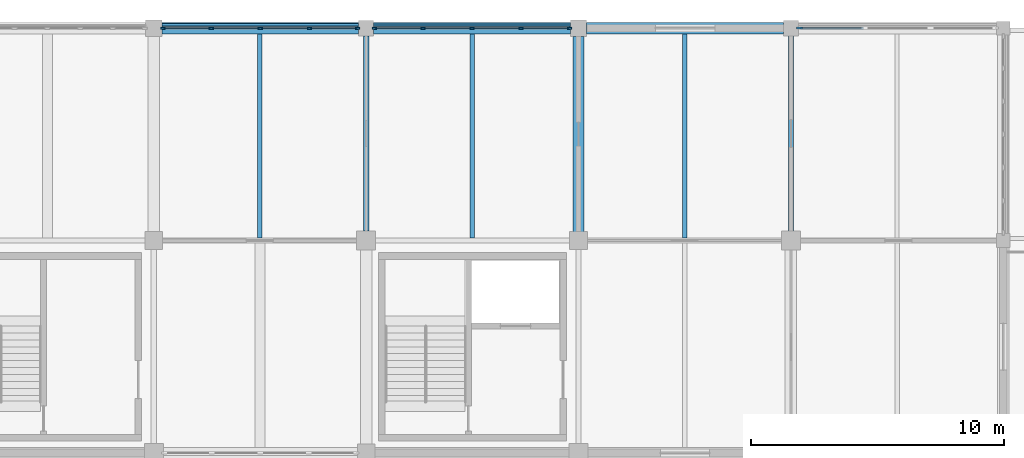
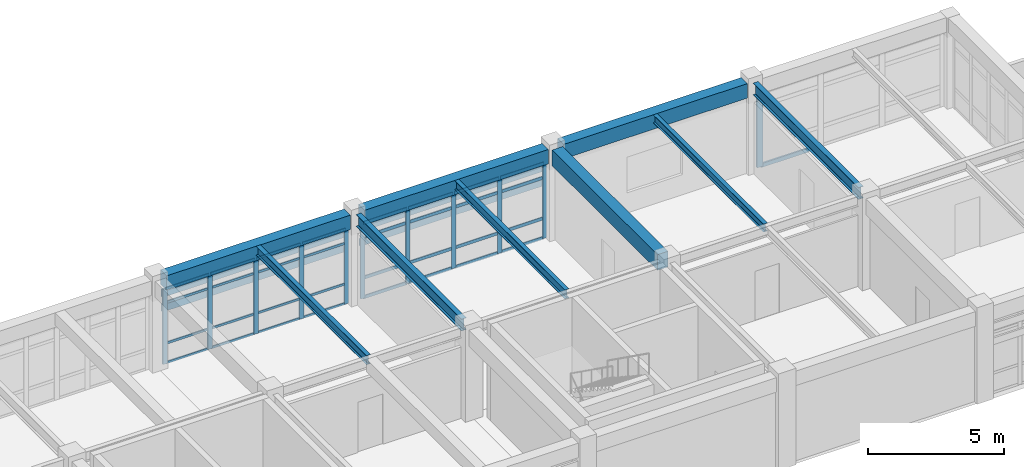
# One storey, part 18 of 40: 48 members, 9 beams, 3 elements without a shape of their own.
"""IFC4 building model written with IfcOpenShell, lengths in metres."""

import ifcopenshell
import ifcopenshell.guid

model = None  # the IFC model being written
_history = None  # IfcOwnerHistory: only IFC2X3 demands one
_inside = {}  # id of a spatial element -> (the spatial element, [elements in it])
_under = {}  # id of a project, library or spatial element -> (it, [spatial elements below it])
_declared = {}  # id of a project -> (the project, [libraries it declares])
_typed = {}  # id of a type object -> (the type object, [elements of that type])
_made_of = {}  # id of a material, layer set ... -> (it, [elements and type objects made of it])


def new_model(schema):
    """Start an empty IFC model of exactly this schema.

    Asked for "IFC4X3", IfcOpenShell would pick the latest addendum, in which some entities
    have other attributes; the version numbers below select the first issue.
    IFC2X3 requires an IfcOwnerHistory on every rooted entity: one is made here for all.
    """
    global model, _history
    if schema == "IFC4X3":
        model = ifcopenshell.file(schema_version=(4, 3, 0, 0))
    else:
        model = ifcopenshell.file(schema=schema)
    _inside.clear()
    _under.clear()
    _declared.clear()
    _typed.clear()
    _made_of.clear()
    _history = None
    if model.schema == "IFC2X3":
        org = make("IfcOrganization", Name="unknown")
        user = make(
            "IfcPersonAndOrganization",
            ThePerson=make("IfcPerson", FamilyName="unknown"),
            TheOrganization=org,
        )
        app = make(
            "IfcApplication",
            ApplicationDeveloper=org,
            Version="unknown",
            ApplicationFullName="unknown",
            ApplicationIdentifier="unknown",
        )
        _history = make(
            "IfcOwnerHistory",
            OwningUser=user,
            OwningApplication=app,
            ChangeAction="ADDED",
            CreationDate=0,
        )
    return model


def make(cls, **values):
    """One entity of the class cls with the attributes given. An attribute that is None is left unset."""
    return model.create_entity(
        cls, **{name: value for name, value in values.items() if value is not None}
    )


def rooted(cls, **values):
    """An entity with a GlobalId (a new one), such as an element, a storey or a relation."""
    return make(cls, GlobalId=ifcopenshell.guid.new(), OwnerHistory=_history, **values)


def si_unit(unit_type, name, prefix=None):
    """IfcSIUnit, for example si_unit("LENGTHUNIT", "METRE", prefix="MILLI")."""
    return make("IfcSIUnit", UnitType=unit_type, Prefix=prefix, Name=name)


def assignment(units):
    """IfcUnitAssignment: the units of a project."""
    return None if units is None else make("IfcUnitAssignment", Units=units)


def point(xyz):
    """IfcCartesianPoint."""
    return None if xyz is None else make("IfcCartesianPoint", Coordinates=xyz)


def direction(xyz):
    """IfcDirection."""
    return None if xyz is None else make("IfcDirection", DirectionRatios=xyz)


def frame(location, z_axis=None, x_axis=None):
    """IfcAxis2Placement3D, a coordinate frame: its origin and axes. An axis left out is left unset."""
    return make(
        "IfcAxis2Placement3D",
        Location=point(location),
        Axis=direction(z_axis),
        RefDirection=direction(x_axis),
    )


def frame_2d(location, x_axis=None):
    """IfcAxis2Placement2D, a coordinate frame in the plane: its origin and x axis."""
    return make(
        "IfcAxis2Placement2D", Location=point(location), RefDirection=direction(x_axis)
    )


def origin():
    """The frame at (0, 0, 0) with its axes left unset."""
    return frame((0.0, 0.0, 0.0))


def origin_2d():
    """The frame at (0, 0) in the plane with its x axis left unset."""
    return frame_2d((0.0, 0.0))


def place(relative_to, where):
    """IfcLocalPlacement: puts the frame where relative to a parent placement (None: the world)."""
    return make(
        "IfcLocalPlacement", PlacementRelTo=relative_to, RelativePlacement=where
    )


def context(
    kind, dimensions, precision=None, world=None, true_north=None, identifier=None
):
    """IfcGeometricRepresentationContext, for example the 3D "Model" context."""
    return make(
        "IfcGeometricRepresentationContext",
        ContextIdentifier=identifier,
        ContextType=kind,
        CoordinateSpaceDimension=dimensions,
        Precision=precision,
        WorldCoordinateSystem=world,
        TrueNorth=true_north,
    )


def subcontext(parent, identifier, kind, view, scale=None):
    """IfcGeometricRepresentationSubContext, for example "Body" below "Model"."""
    return make(
        "IfcGeometricRepresentationSubContext",
        ContextIdentifier=identifier,
        ContextType=kind,
        ParentContext=parent,
        TargetScale=scale,
        TargetView=view,
    )


def project(units=None, contexts=None):
    """IfcProject with its units and contexts."""
    return rooted(
        "IfcProject",
        Name="project",
        RepresentationContexts=contexts,
        UnitsInContext=assignment(units),
    )


def spatial(cls, under=None, at=None, **own):
    """A site, building, storey or space (cls), placed at a placement, below another one or the project."""
    s = rooted(cls, ObjectPlacement=at, **own)
    if under is not None:
        _under.setdefault(under.id(), (under, []))[1].append(s)
    return s


def profile(cls, at=None, kind="AREA", **sizes):
    """A parametric profile (cls). Its sizes go by their IFC names, for example OverallWidth=200.0."""
    return make(cls, ProfileType=kind, Position=at, **sizes)


def rectangle(**sizes):
    """IfcRectangleProfileDef."""
    return profile("IfcRectangleProfileDef", **sizes)


def i_section(**sizes):
    """IfcIShapeProfileDef."""
    return profile("IfcIShapeProfileDef", **sizes)


def extrude(swept, where, along, depth):
    """IfcExtrudedAreaSolid: the profile swept, set in the frame where, extruded along a direction by depth."""
    return make(
        "IfcExtrudedAreaSolid",
        SweptArea=swept,
        Position=where,
        ExtrudedDirection=direction(along),
        Depth=depth,
    )


def shape(context_of_items, identifier, shape_type, items):
    """IfcShapeRepresentation: the items that make up one representation, for example the "Body"."""
    return make(
        "IfcShapeRepresentation",
        ContextOfItems=context_of_items,
        RepresentationIdentifier=identifier,
        RepresentationType=shape_type,
        Items=items,
    )


def material(Name=None, Category=None):
    """IfcMaterial."""
    return make("IfcMaterial", Name=Name, Category=Category)


def layer(
    of_material, thickness, ventilated=None, Name=None, Category=None, Priority=None
):
    """IfcMaterialLayer: one layer of a wall or slab, of a material (None: an air gap)."""
    return make(
        "IfcMaterialLayer",
        Material=of_material,
        LayerThickness=thickness,
        IsVentilated=ventilated,
        Name=Name,
        Category=Category,
        Priority=Priority,
    )


def layer_set(layers, Name=None):
    """IfcMaterialLayerSet."""
    return make("IfcMaterialLayerSet", MaterialLayers=layers, LayerSetName=Name)


def material_profile(
    of_material, cross_section, Name=None, Category=None, Priority=None
):
    """IfcMaterialProfile: a cross section and its material."""
    return make(
        "IfcMaterialProfile",
        Name=Name,
        Material=of_material,
        Profile=cross_section,
        Priority=Priority,
        Category=Category,
    )


def profile_set(profiles, Name=None, composite=None):
    """IfcMaterialProfileSet."""
    return make(
        "IfcMaterialProfileSet",
        Name=Name,
        MaterialProfiles=profiles,
        CompositeProfile=composite,
    )


def made_of(thing, what):
    """Note that an element or type object is made of a material, layer set ...; save() writes the relation."""
    if what is not None:
        _made_of.setdefault(what.id(), (what, []))[1].append(thing)
    return thing


def type_object(cls, material=None, **own):
    """A type object (cls), such as IfcWallType, which elements share."""
    return made_of(rooted(cls, **own), material)


def element(
    cls,
    number,
    at=None,
    inside=None,
    cuts=None,
    type_object=None,
    material=None,
    context=None,
    identifier="Body",
    shape_type=None,
    held_by="IfcProductDefinitionShape",
    body=None,
    shapes=None,
    **own,
):
    """One element of the class cls, such as IfcWall. Its Tag is "e" and its number.

    at: its placement. inside: the storey or other place that contains it. cuts: it is an
    opening in that element (IfcRelVoidsElement). A single representation is given by context,
    identifier, shape_type and body (its items); several are given by shapes. held_by: the class
    of the entity that holds the representations. save() writes the other relations.
    """
    e = rooted(cls, Tag="e%d" % number, ObjectPlacement=at, **own)
    if body is not None:
        shapes = [shape(context, identifier, shape_type, body)]
    if shapes is not None:
        e.Representation = make(held_by, Representations=shapes)
    if inside is not None:
        _inside.setdefault(inside.id(), (inside, []))[1].append(e)
    if cuts is not None:
        rooted(
            "IfcRelVoidsElement", RelatingBuildingElement=cuts, RelatedOpeningElement=e
        )
    if type_object is not None:
        _typed.setdefault(type_object.id(), (type_object, []))[1].append(e)
    return made_of(e, material)


def aggregate(whole, parts):
    """IfcRelAggregates: a whole, such as a stair, and the parts it consists of."""
    return rooted("IfcRelAggregates", RelatingObject=whole, RelatedObjects=parts)


def save(model, path):
    """Write the relations noted so far, then the file.

    IfcRelAggregates (storeys below a building ...), IfcRelContainedInSpatialStructure (elements
    in a storey), IfcRelDefinesByType, IfcRelAssociatesMaterial and IfcRelDeclares: one each for
    every whole, place, type object, material and project.
    """
    for whole, parts in _under.values():
        aggregate(whole, parts)
    for where, things in _inside.values():
        rooted(
            "IfcRelContainedInSpatialStructure",
            RelatedElements=things,
            RelatingStructure=where,
        )
    for kind, things in _typed.values():
        rooted("IfcRelDefinesByType", RelatedObjects=things, RelatingType=kind)
    for what, things in _made_of.values():
        rooted("IfcRelAssociatesMaterial", RelatedObjects=things, RelatingMaterial=what)
    for by, libraries in _declared.values():
        rooted("IfcRelDeclares", RelatingContext=by, RelatedDefinitions=libraries)
    model.write(path)


model = new_model("IFC4")

# Units and contexts
model_context = context("Model", 3, precision=1e-05, world=origin(), true_north=direction((0.0, 1.0)))
body_context = subcontext(model_context, "Body", "Model", "MODEL_VIEW")
ifc_project = project(units=[si_unit("LENGTHUNIT", "METRE"), si_unit("AREAUNIT", "SQUARE_METRE"), si_unit("VOLUMEUNIT", "CUBIC_METRE"), si_unit("PLANEANGLEUNIT", "RADIAN"), si_unit("MASSUNIT", "GRAM", prefix="KILO")], contexts=[model_context])

# Site, building, storey
site_placement = place(None, origin())
site = spatial("IfcSite", under=ifc_project, at=site_placement, CompositionType="ELEMENT")
building_placement = place(site_placement, origin())
building = spatial("IfcBuilding", under=site, at=building_placement, Name="Porcellanite Civic Hall", CompositionType="ELEMENT")
storey_placement = place(building_placement, frame((0.0, 0.0, 19.080078125)))
storey = spatial("IfcBuildingStorey", under=building, at=storey_placement, Name="L04", CompositionType="ELEMENT", Elevation=19.080078125)

# Beams
ifc_material_1 = material(Name="Concrete N50 (50 MPa)", Category="concrete")
ifc_material_profile_1 = material_profile(ifc_material_1, rectangle(XDim=0.449951171875, YDim=0.64990234375, at=origin_2d()), Name="RC-450x650")
ifc_profile_set_1 = profile_set([ifc_material_profile_1], Name="Concrete N50 (50 MPa)")
beam_type_1 = type_object("IfcBeamType", Name="BM-RC650", PredefinedType="SPANDREL", material=ifc_profile_set_1)
for number, where, z_axis, x_axis, name in (
    (1, (101.12451171875, 117.60009765625, 3.744873046875), (1.0, 0.0, 0.0), (0.0, 1.0, 0.0), "Beam X L04 13-15"),
    (2, (109.49951171875, 117.60009765625, 3.744873046875), (1.0, 0.0, 0.0), (0.0, 1.0, 0.0), "Beam X L04 14-15"),
    (3, (117.924560546875, 117.60009765625, 3.744873046875), (1.0, 0.0, 0.0), (0.0, 1.0, 0.0), "Beam X L04 15-15"),
):
    element("IfcBeam", number, at=place(storey_placement, frame(where, z_axis=z_axis, x_axis=x_axis)), inside=storey, type_object=beam_type_1, Name=name, PredefinedType="SPANDREL", context=body_context, shape_type="SweptSolid", body=[
        extrude(rectangle(XDim=0.449951171875, YDim=0.64990234375, at=origin_2d()), origin(), (0.0, 0.0, 1.0), 7.77587890625),
    ])
ifc_material_2 = material(Name="Concrete N50 (50 MPa)", Category="concrete")
ifc_material_profile_2 = material_profile(ifc_material_2, rectangle(XDim=0.449951171875, YDim=0.699951171875, at=origin_2d()), Name="RC-450x700")
ifc_profile_set_2 = profile_set([ifc_material_profile_2], Name="Concrete N50 (50 MPa)")
beam_type_2 = type_object("IfcBeamType", Name="BM-RC700", PredefinedType="BEAM", material=ifc_profile_set_2)
beam_1_placement = place(storey_placement, frame((117.60009765625, 109.549560546875, 3.719970703125), z_axis=(0.0, 1.0, 0.0), x_axis=(-1.0, 0.0, 0.0)))
element("IfcBeam", 4, at=beam_1_placement, inside=storey, type_object=beam_type_2, Name="Beam Y L04 15-14", PredefinedType="BEAM", context=body_context, shape_type="SweptSolid", body=[
    extrude(rectangle(XDim=0.449951171875, YDim=0.699951171875, at=origin_2d()), origin(), (0.0, 0.0, 1.0), 7.725830078125),
])

# Curtain wall, member
ifc_material_3 = material(Name="Anodised aluminium and solar laminated glass", Category="aluminium")
ifc_layer_1 = layer(ifc_material_3, 0.179931640625)
ifc_layer_set_1 = layer_set([ifc_layer_1], Name="Anodised aluminium and solar laminated glass")
curtain_wall_type_1 = type_object("IfcCurtainWallType", Name="CW-SYS08", PredefinedType="NOTDEFINED", material=ifc_layer_set_1)
curtain_wall_1_placement = place(storey_placement, origin())
curtain_wall_1 = element("IfcCurtainWall", 5, at=curtain_wall_1_placement, inside=storey, type_object=curtain_wall_type_1, Name="Curtain wall CW-256", PredefinedType="NOTDEFINED")
ifc_material_4 = material(Name="Anodised aluminium 6063-T6", Category="aluminium")
ifc_material_profile_3 = material_profile(ifc_material_4, rectangle(XDim=0.080078125, YDim=0.239990234375, at=origin_2d()), Name="AL-80x240")
ifc_profile_set_3 = profile_set([ifc_material_profile_3], Name="Anodised aluminium 6063-T6")
member_type_1 = type_object("IfcMemberType", Name="CWM-01", PredefinedType="MULLION", material=ifc_profile_set_3)
member_1_placement = place(storey_placement, frame((126.341064453125, 117.60009765625, 0.0), z_axis=(0.0, 0.0, 1.0), x_axis=(0.0, 1.0, 0.0)))
member_1 = element("IfcMember", 6, at=member_1_placement, type_object=member_type_1, Name="CW-256 mullion 1", PredefinedType="MULLION", context=body_context, shape_type="SweptSolid", body=[
    extrude(rectangle(XDim=0.080078125, YDim=0.239990234375, at=origin_2d()), origin(), (0.0, 0.0, 1.0), 3.369873046875),
])

# Curtain wall, members
ifc_material_5 = material(Name="Anodised aluminium and solar laminated glass", Category="aluminium")
ifc_layer_2 = layer(ifc_material_5, 0.179931640625)
ifc_layer_set_2 = layer_set([ifc_layer_2], Name="Anodised aluminium and solar laminated glass")
curtain_wall_type_2 = type_object("IfcCurtainWallType", Name="CW-SYS04", PredefinedType="NOTDEFINED", material=ifc_layer_set_2)
curtain_wall_2_placement = place(storey_placement, origin())
curtain_wall_2 = element("IfcCurtainWall", 7, at=curtain_wall_2_placement, inside=storey, type_object=curtain_wall_type_2, Name="Curtain wall CW-253", PredefinedType="NOTDEFINED")
ifc_material_6 = material(Name="Anodised aluminium 6063-T6", Category="aluminium")
ifc_material_profile_4 = material_profile(ifc_material_6, rectangle(XDim=0.074951171875, YDim=0.18994140625, at=origin_2d()), Name="AL-75x190")
ifc_profile_set_4 = profile_set([ifc_material_profile_4], Name="Anodised aluminium 6063-T6")
member_type_2 = type_object("IfcMemberType", Name="CWM-04", PredefinedType="MULLION", material=ifc_profile_set_4)
member_2_placement = place(storey_placement, frame((101.16357421875, 117.60009765625, 0.0), z_axis=(0.0, 0.0, 1.0), x_axis=(0.0, 1.0, 0.0)))
member_2 = element("IfcMember", 8, at=member_2_placement, type_object=member_type_2, Name="CW-253 mullion 1", PredefinedType="MULLION", context=body_context, shape_type="SweptSolid", body=[
    extrude(rectangle(XDim=0.074951171875, YDim=0.18994140625, at=origin_2d()), origin(), (0.0, 0.0, 1.0), 3.369873046875),
])
member_3_placement = place(storey_placement, frame((103.0693359375, 117.60009765625, 0.0), z_axis=(0.0, 0.0, 1.0), x_axis=(0.0, 1.0, 0.0)))
member_3 = element("IfcMember", 9, at=member_3_placement, type_object=member_type_2, Name="CW-253 mullion 2", PredefinedType="MULLION", context=body_context, shape_type="SweptSolid", body=[
    extrude(rectangle(XDim=0.074951171875, YDim=0.18994140625, at=origin_2d()), origin(), (0.0, 0.0, 1.0), 3.369873046875),
])
member_4_placement = place(storey_placement, frame((105.012451171875, 117.60009765625, 0.0), z_axis=(0.0, 0.0, 1.0), x_axis=(0.0, 1.0, 0.0)))
member_4 = element("IfcMember", 10, at=member_4_placement, type_object=member_type_2, Name="CW-253 mullion 3", PredefinedType="MULLION", context=body_context, shape_type="SweptSolid", body=[
    extrude(rectangle(XDim=0.074951171875, YDim=0.18994140625, at=origin_2d()), origin(), (0.0, 0.0, 1.0), 3.369873046875),
])
member_5_placement = place(storey_placement, frame((106.955810546875, 117.60009765625, 0.0), z_axis=(0.0, 0.0, 1.0), x_axis=(0.0, 1.0, 0.0)))
member_5 = element("IfcMember", 11, at=member_5_placement, type_object=member_type_2, Name="CW-253 mullion 4", PredefinedType="MULLION", context=body_context, shape_type="SweptSolid", body=[
    extrude(rectangle(XDim=0.074951171875, YDim=0.18994140625, at=origin_2d()), origin(), (0.0, 0.0, 1.0), 3.369873046875),
])
member_6_placement = place(storey_placement, frame((108.861572265625, 117.60009765625, 0.0), z_axis=(0.0, 0.0, 1.0), x_axis=(0.0, 1.0, 0.0)))
member_6 = element("IfcMember", 12, at=member_6_placement, type_object=member_type_2, Name="CW-253 mullion 5", PredefinedType="MULLION", context=body_context, shape_type="SweptSolid", body=[
    extrude(rectangle(XDim=0.074951171875, YDim=0.18994140625, at=origin_2d()), origin(), (0.0, 0.0, 1.0), 3.369873046875),
])

ifc_material_7 = material(Name="Anodised aluminium and solar laminated glass", Category="aluminium")
ifc_layer_3 = layer(ifc_material_7, 0.179931640625)
ifc_layer_set_3 = layer_set([ifc_layer_3], Name="Anodised aluminium and solar laminated glass")
curtain_wall_type_3 = type_object("IfcCurtainWallType", Name="CW-SYS06", PredefinedType="NOTDEFINED", material=ifc_layer_set_3)
curtain_wall_3_placement = place(storey_placement, origin())
curtain_wall_3 = element("IfcCurtainWall", 13, at=curtain_wall_3_placement, inside=storey, type_object=curtain_wall_type_3, Name="Curtain wall CW-254", PredefinedType="NOTDEFINED")
ifc_material_8 = material(Name="Anodised aluminium 6063-T6", Category="aluminium")
ifc_material_profile_5 = material_profile(ifc_material_8, rectangle(XDim=0.06494140625, YDim=0.179931640625, at=origin_2d()), Name="AL-65x180")
ifc_profile_set_5 = profile_set([ifc_material_profile_5], Name="Anodised aluminium 6063-T6")
member_type_3 = type_object("IfcMemberType", Name="CWM-06", PredefinedType="MULLION", material=ifc_profile_set_5)
member_7_placement = place(storey_placement, frame((109.533447265625, 117.60009765625, 0.0), z_axis=(0.0, 0.0, 1.0), x_axis=(0.0, 1.0, 0.0)))
member_7 = element("IfcMember", 14, at=member_7_placement, type_object=member_type_3, Name="CW-254 mullion 1", PredefinedType="MULLION", context=body_context, shape_type="SweptSolid", body=[
    extrude(rectangle(XDim=0.06494140625, YDim=0.179931640625, at=origin_2d()), origin(), (0.0, 0.0, 1.0), 3.369873046875),
])
member_8_placement = place(storey_placement, frame((111.4443359375, 117.60009765625, 0.0), z_axis=(0.0, 0.0, 1.0), x_axis=(0.0, 1.0, 0.0)))
member_8 = element("IfcMember", 15, at=member_8_placement, type_object=member_type_3, Name="CW-254 mullion 2", PredefinedType="MULLION", context=body_context, shape_type="SweptSolid", body=[
    extrude(rectangle(XDim=0.06494140625, YDim=0.179931640625, at=origin_2d()), origin(), (0.0, 0.0, 1.0), 3.369873046875),
])
member_9_placement = place(storey_placement, frame((113.387451171875, 117.60009765625, 0.0), z_axis=(0.0, 0.0, 1.0), x_axis=(0.0, 1.0, 0.0)))
member_9 = element("IfcMember", 16, at=member_9_placement, type_object=member_type_3, Name="CW-254 mullion 3", PredefinedType="MULLION", context=body_context, shape_type="SweptSolid", body=[
    extrude(rectangle(XDim=0.06494140625, YDim=0.179931640625, at=origin_2d()), origin(), (0.0, 0.0, 1.0), 3.369873046875),
])
member_10_placement = place(storey_placement, frame((115.330810546875, 117.60009765625, 0.0), z_axis=(0.0, 0.0, 1.0), x_axis=(0.0, 1.0, 0.0)))
member_10 = element("IfcMember", 17, at=member_10_placement, type_object=member_type_3, Name="CW-254 mullion 4", PredefinedType="MULLION", context=body_context, shape_type="SweptSolid", body=[
    extrude(rectangle(XDim=0.06494140625, YDim=0.179931640625, at=origin_2d()), origin(), (0.0, 0.0, 1.0), 3.369873046875),
])
member_11_placement = place(storey_placement, frame((117.241455078125, 117.60009765625, 0.0), z_axis=(0.0, 0.0, 1.0), x_axis=(0.0, 1.0, 0.0)))
member_11 = element("IfcMember", 18, at=member_11_placement, type_object=member_type_3, Name="CW-254 mullion 5", PredefinedType="MULLION", context=body_context, shape_type="SweptSolid", body=[
    extrude(rectangle(XDim=0.06494140625, YDim=0.179931640625, at=origin_2d()), origin(), (0.0, 0.0, 1.0), 3.369873046875),
])

# Member
ifc_material_9 = material(Name="Anodised aluminium 6063-T6", Category="aluminium")
ifc_material_profile_6 = material_profile(ifc_material_9, rectangle(XDim=0.070068359375, YDim=0.175048828125, at=origin_2d()), Name="AL-70x175")
ifc_profile_set_6 = profile_set([ifc_material_profile_6], Name="Anodised aluminium 6063-T6")
member_type_4 = type_object("IfcMemberType", Name="CWT-01", PredefinedType="USERDEFINED", material=ifc_profile_set_6)
member_12_placement = place(storey_placement, frame((126.381103515625, 117.60009765625, 0.034912109375), z_axis=(1.0, 0.0, 0.0), x_axis=(0.0, 1.0, 0.0)))
member_12 = element("IfcMember", 19, at=member_12_placement, type_object=member_type_4, Name="CW-256 transom 1.1", ObjectType="TRANSOM", PredefinedType="USERDEFINED", context=body_context, shape_type="SweptSolid", body=[
    extrude(rectangle(XDim=0.070068359375, YDim=0.175048828125, at=origin_2d()), origin(), (0.0, 0.0, 1.0), 2.487548828125),
])

aggregate(curtain_wall_1, [member_1, member_12])

ifc_material_10 = material(Name="Anodised aluminium 6063-T6", Category="aluminium")
ifc_material_profile_7 = material_profile(ifc_material_10, rectangle(XDim=0.054931640625, YDim=0.10009765625, at=origin_2d()), Name="AL-55x100")
ifc_profile_set_7 = profile_set([ifc_material_profile_7], Name="Anodised aluminium 6063-T6")
member_type_5 = type_object("IfcMemberType", Name="CWT-05", PredefinedType="USERDEFINED", material=ifc_profile_set_7)
member_13_placement = place(storey_placement, frame((101.200927734375, 117.60009765625, 0.02734375), z_axis=(1.0, 0.0, 0.0), x_axis=(0.0, 1.0, 0.0)))
member_13 = element("IfcMember", 20, at=member_13_placement, type_object=member_type_5, Name="CW-253 transom 1.1", ObjectType="TRANSOM", PredefinedType="USERDEFINED", context=body_context, shape_type="SweptSolid", body=[
    extrude(rectangle(XDim=0.054931640625, YDim=0.10009765625, at=origin_2d()), origin(), (0.0, 0.0, 1.0), 1.830810546875),
])

member_14_placement = place(storey_placement, frame((101.200927734375, 117.60009765625, 0.89990234375), z_axis=(1.0, 0.0, 0.0), x_axis=(0.0, 1.0, 0.0)))
member_14 = element("IfcMember", 21, at=member_14_placement, type_object=member_type_5, Name="CW-253 transom 1.2", ObjectType="TRANSOM", PredefinedType="USERDEFINED", context=body_context, shape_type="SweptSolid", body=[
    extrude(rectangle(XDim=0.054931640625, YDim=0.10009765625, at=origin_2d()), origin(), (0.0, 0.0, 1.0), 1.830810546875),
])

member_15_placement = place(storey_placement, frame((101.200927734375, 117.60009765625, 2.719970703125), z_axis=(1.0, 0.0, 0.0), x_axis=(0.0, 1.0, 0.0)))
member_15 = element("IfcMember", 22, at=member_15_placement, type_object=member_type_5, Name="CW-253 transom 1.3", ObjectType="TRANSOM", PredefinedType="USERDEFINED", context=body_context, shape_type="SweptSolid", body=[
    extrude(rectangle(XDim=0.054931640625, YDim=0.10009765625, at=origin_2d()), origin(), (0.0, 0.0, 1.0), 1.830810546875),
])

member_16_placement = place(storey_placement, frame((101.200927734375, 117.60009765625, 3.342529296875), z_axis=(1.0, 0.0, 0.0), x_axis=(0.0, 1.0, 0.0)))
member_16 = element("IfcMember", 23, at=member_16_placement, type_object=member_type_5, Name="CW-253 transom 1.4", ObjectType="TRANSOM", PredefinedType="USERDEFINED", context=body_context, shape_type="SweptSolid", body=[
    extrude(rectangle(XDim=0.054931640625, YDim=0.10009765625, at=origin_2d()), origin(), (0.0, 0.0, 1.0), 1.830810546875),
])

member_17_placement = place(storey_placement, frame((103.106689453125, 117.60009765625, 0.02734375), z_axis=(1.0, 0.0, 0.0), x_axis=(0.0, 1.0, 0.0)))
member_17 = element("IfcMember", 24, at=member_17_placement, type_object=member_type_5, Name="CW-253 transom 2.1", ObjectType="TRANSOM", PredefinedType="USERDEFINED", context=body_context, shape_type="SweptSolid", body=[
    extrude(rectangle(XDim=0.054931640625, YDim=0.10009765625, at=origin_2d()), origin(), (0.0, 0.0, 1.0), 1.868408203125),
])

member_18_placement = place(storey_placement, frame((103.106689453125, 117.60009765625, 0.89990234375), z_axis=(1.0, 0.0, 0.0), x_axis=(0.0, 1.0, 0.0)))
member_18 = element("IfcMember", 25, at=member_18_placement, type_object=member_type_5, Name="CW-253 transom 2.2", ObjectType="TRANSOM", PredefinedType="USERDEFINED", context=body_context, shape_type="SweptSolid", body=[
    extrude(rectangle(XDim=0.054931640625, YDim=0.10009765625, at=origin_2d()), origin(), (0.0, 0.0, 1.0), 1.868408203125),
])

member_19_placement = place(storey_placement, frame((103.106689453125, 117.60009765625, 2.719970703125), z_axis=(1.0, 0.0, 0.0), x_axis=(0.0, 1.0, 0.0)))
member_19 = element("IfcMember", 26, at=member_19_placement, type_object=member_type_5, Name="CW-253 transom 2.3", ObjectType="TRANSOM", PredefinedType="USERDEFINED", context=body_context, shape_type="SweptSolid", body=[
    extrude(rectangle(XDim=0.054931640625, YDim=0.10009765625, at=origin_2d()), origin(), (0.0, 0.0, 1.0), 1.868408203125),
])

member_20_placement = place(storey_placement, frame((103.106689453125, 117.60009765625, 3.342529296875), z_axis=(1.0, 0.0, 0.0), x_axis=(0.0, 1.0, 0.0)))
member_20 = element("IfcMember", 27, at=member_20_placement, type_object=member_type_5, Name="CW-253 transom 2.4", ObjectType="TRANSOM", PredefinedType="USERDEFINED", context=body_context, shape_type="SweptSolid", body=[
    extrude(rectangle(XDim=0.054931640625, YDim=0.10009765625, at=origin_2d()), origin(), (0.0, 0.0, 1.0), 1.868408203125),
])

member_21_placement = place(storey_placement, frame((105.050048828125, 117.60009765625, 0.02734375), z_axis=(1.0, 0.0, 0.0), x_axis=(0.0, 1.0, 0.0)))
member_21 = element("IfcMember", 28, at=member_21_placement, type_object=member_type_5, Name="CW-253 transom 3.1", ObjectType="TRANSOM", PredefinedType="USERDEFINED", context=body_context, shape_type="SweptSolid", body=[
    extrude(rectangle(XDim=0.054931640625, YDim=0.10009765625, at=origin_2d()), origin(), (0.0, 0.0, 1.0), 1.8681640625),
])

member_22_placement = place(storey_placement, frame((105.050048828125, 117.60009765625, 0.89990234375), z_axis=(1.0, 0.0, 0.0), x_axis=(0.0, 1.0, 0.0)))
member_22 = element("IfcMember", 29, at=member_22_placement, type_object=member_type_5, Name="CW-253 transom 3.2", ObjectType="TRANSOM", PredefinedType="USERDEFINED", context=body_context, shape_type="SweptSolid", body=[
    extrude(rectangle(XDim=0.054931640625, YDim=0.10009765625, at=origin_2d()), origin(), (0.0, 0.0, 1.0), 1.8681640625),
])

member_23_placement = place(storey_placement, frame((105.050048828125, 117.60009765625, 2.719970703125), z_axis=(1.0, 0.0, 0.0), x_axis=(0.0, 1.0, 0.0)))
member_23 = element("IfcMember", 30, at=member_23_placement, type_object=member_type_5, Name="CW-253 transom 3.3", ObjectType="TRANSOM", PredefinedType="USERDEFINED", context=body_context, shape_type="SweptSolid", body=[
    extrude(rectangle(XDim=0.054931640625, YDim=0.10009765625, at=origin_2d()), origin(), (0.0, 0.0, 1.0), 1.8681640625),
])

member_24_placement = place(storey_placement, frame((105.050048828125, 117.60009765625, 3.342529296875), z_axis=(1.0, 0.0, 0.0), x_axis=(0.0, 1.0, 0.0)))
member_24 = element("IfcMember", 31, at=member_24_placement, type_object=member_type_5, Name="CW-253 transom 3.4", ObjectType="TRANSOM", PredefinedType="USERDEFINED", context=body_context, shape_type="SweptSolid", body=[
    extrude(rectangle(XDim=0.054931640625, YDim=0.10009765625, at=origin_2d()), origin(), (0.0, 0.0, 1.0), 1.8681640625),
])

member_25_placement = place(storey_placement, frame((106.9931640625, 117.60009765625, 0.02734375), z_axis=(1.0, 0.0, 0.0), x_axis=(0.0, 1.0, 0.0)))
member_25 = element("IfcMember", 32, at=member_25_placement, type_object=member_type_5, Name="CW-253 transom 4.1", ObjectType="TRANSOM", PredefinedType="USERDEFINED", context=body_context, shape_type="SweptSolid", body=[
    extrude(rectangle(XDim=0.054931640625, YDim=0.10009765625, at=origin_2d()), origin(), (0.0, 0.0, 1.0), 1.830810546875),
])

member_26_placement = place(storey_placement, frame((106.9931640625, 117.60009765625, 0.89990234375), z_axis=(1.0, 0.0, 0.0), x_axis=(0.0, 1.0, 0.0)))
member_26 = element("IfcMember", 33, at=member_26_placement, type_object=member_type_5, Name="CW-253 transom 4.2", ObjectType="TRANSOM", PredefinedType="USERDEFINED", context=body_context, shape_type="SweptSolid", body=[
    extrude(rectangle(XDim=0.054931640625, YDim=0.10009765625, at=origin_2d()), origin(), (0.0, 0.0, 1.0), 1.830810546875),
])

member_27_placement = place(storey_placement, frame((106.9931640625, 117.60009765625, 2.719970703125), z_axis=(1.0, 0.0, 0.0), x_axis=(0.0, 1.0, 0.0)))
member_27 = element("IfcMember", 34, at=member_27_placement, type_object=member_type_5, Name="CW-253 transom 4.3", ObjectType="TRANSOM", PredefinedType="USERDEFINED", context=body_context, shape_type="SweptSolid", body=[
    extrude(rectangle(XDim=0.054931640625, YDim=0.10009765625, at=origin_2d()), origin(), (0.0, 0.0, 1.0), 1.830810546875),
])

member_28_placement = place(storey_placement, frame((106.9931640625, 117.60009765625, 3.342529296875), z_axis=(1.0, 0.0, 0.0), x_axis=(0.0, 1.0, 0.0)))
member_28 = element("IfcMember", 35, at=member_28_placement, type_object=member_type_5, Name="CW-253 transom 4.4", ObjectType="TRANSOM", PredefinedType="USERDEFINED", context=body_context, shape_type="SweptSolid", body=[
    extrude(rectangle(XDim=0.054931640625, YDim=0.10009765625, at=origin_2d()), origin(), (0.0, 0.0, 1.0), 1.830810546875),
])

aggregate(curtain_wall_2, [member_2, member_3, member_4, member_5, member_6, member_13, member_14, member_15, member_16, member_17, member_18, member_19, member_20, member_21, member_22, member_23, member_24, member_25, member_26, member_27, member_28])

ifc_material_11 = material(Name="Anodised aluminium 6063-T6", Category="aluminium")
ifc_material_profile_8 = material_profile(ifc_material_11, rectangle(XDim=0.050048828125, YDim=0.139892578125, at=origin_2d()), Name="AL-50x140")
ifc_profile_set_8 = profile_set([ifc_material_profile_8], Name="Anodised aluminium 6063-T6")
member_type_6 = type_object("IfcMemberType", Name="CWT-06", PredefinedType="USERDEFINED", material=ifc_profile_set_8)
member_29_placement = place(storey_placement, frame((109.56591796875, 117.60009765625, 0.02490234375), z_axis=(1.0, 0.0, 0.0), x_axis=(0.0, 1.0, 0.0)))
member_29 = element("IfcMember", 36, at=member_29_placement, type_object=member_type_6, Name="CW-254 transom 1.1", ObjectType="TRANSOM", PredefinedType="USERDEFINED", context=body_context, shape_type="SweptSolid", body=[
    extrude(rectangle(XDim=0.050048828125, YDim=0.139892578125, at=origin_2d()), origin(), (0.0, 0.0, 1.0), 1.845947265625),
])

member_30_placement = place(storey_placement, frame((109.56591796875, 117.60009765625, 0.89990234375), z_axis=(1.0, 0.0, 0.0), x_axis=(0.0, 1.0, 0.0)))
member_30 = element("IfcMember", 37, at=member_30_placement, type_object=member_type_6, Name="CW-254 transom 1.2", ObjectType="TRANSOM", PredefinedType="USERDEFINED", context=body_context, shape_type="SweptSolid", body=[
    extrude(rectangle(XDim=0.050048828125, YDim=0.139892578125, at=origin_2d()), origin(), (0.0, 0.0, 1.0), 1.845947265625),
])

member_31_placement = place(storey_placement, frame((109.56591796875, 117.60009765625, 2.719970703125), z_axis=(1.0, 0.0, 0.0), x_axis=(0.0, 1.0, 0.0)))
member_31 = element("IfcMember", 38, at=member_31_placement, type_object=member_type_6, Name="CW-254 transom 1.3", ObjectType="TRANSOM", PredefinedType="USERDEFINED", context=body_context, shape_type="SweptSolid", body=[
    extrude(rectangle(XDim=0.050048828125, YDim=0.139892578125, at=origin_2d()), origin(), (0.0, 0.0, 1.0), 1.845947265625),
])

member_32_placement = place(storey_placement, frame((109.56591796875, 117.60009765625, 3.344970703125), z_axis=(1.0, 0.0, 0.0), x_axis=(0.0, 1.0, 0.0)))
member_32 = element("IfcMember", 39, at=member_32_placement, type_object=member_type_6, Name="CW-254 transom 1.4", ObjectType="TRANSOM", PredefinedType="USERDEFINED", context=body_context, shape_type="SweptSolid", body=[
    extrude(rectangle(XDim=0.050048828125, YDim=0.139892578125, at=origin_2d()), origin(), (0.0, 0.0, 1.0), 1.845947265625),
])

member_33_placement = place(storey_placement, frame((111.476806640625, 117.60009765625, 0.02490234375), z_axis=(1.0, 0.0, 0.0), x_axis=(0.0, 1.0, 0.0)))
member_33 = element("IfcMember", 40, at=member_33_placement, type_object=member_type_6, Name="CW-254 transom 2.1", ObjectType="TRANSOM", PredefinedType="USERDEFINED", context=body_context, shape_type="SweptSolid", body=[
    extrude(rectangle(XDim=0.050048828125, YDim=0.139892578125, at=origin_2d()), origin(), (0.0, 0.0, 1.0), 1.878173828125),
])

member_34_placement = place(storey_placement, frame((111.476806640625, 117.60009765625, 0.89990234375), z_axis=(1.0, 0.0, 0.0), x_axis=(0.0, 1.0, 0.0)))
member_34 = element("IfcMember", 41, at=member_34_placement, type_object=member_type_6, Name="CW-254 transom 2.2", ObjectType="TRANSOM", PredefinedType="USERDEFINED", context=body_context, shape_type="SweptSolid", body=[
    extrude(rectangle(XDim=0.050048828125, YDim=0.139892578125, at=origin_2d()), origin(), (0.0, 0.0, 1.0), 1.878173828125),
])

member_35_placement = place(storey_placement, frame((111.476806640625, 117.60009765625, 2.719970703125), z_axis=(1.0, 0.0, 0.0), x_axis=(0.0, 1.0, 0.0)))
member_35 = element("IfcMember", 42, at=member_35_placement, type_object=member_type_6, Name="CW-254 transom 2.3", ObjectType="TRANSOM", PredefinedType="USERDEFINED", context=body_context, shape_type="SweptSolid", body=[
    extrude(rectangle(XDim=0.050048828125, YDim=0.139892578125, at=origin_2d()), origin(), (0.0, 0.0, 1.0), 1.878173828125),
])

member_36_placement = place(storey_placement, frame((111.476806640625, 117.60009765625, 3.344970703125), z_axis=(1.0, 0.0, 0.0), x_axis=(0.0, 1.0, 0.0)))
member_36 = element("IfcMember", 43, at=member_36_placement, type_object=member_type_6, Name="CW-254 transom 2.4", ObjectType="TRANSOM", PredefinedType="USERDEFINED", context=body_context, shape_type="SweptSolid", body=[
    extrude(rectangle(XDim=0.050048828125, YDim=0.139892578125, at=origin_2d()), origin(), (0.0, 0.0, 1.0), 1.878173828125),
])

member_37_placement = place(storey_placement, frame((113.419921875, 117.60009765625, 0.02490234375), z_axis=(1.0, 0.0, 0.0), x_axis=(0.0, 1.0, 0.0)))
member_37 = element("IfcMember", 44, at=member_37_placement, type_object=member_type_6, Name="CW-254 transom 3.1", ObjectType="TRANSOM", PredefinedType="USERDEFINED", context=body_context, shape_type="SweptSolid", body=[
    extrude(rectangle(XDim=0.050048828125, YDim=0.139892578125, at=origin_2d()), origin(), (0.0, 0.0, 1.0), 1.87841796875),
])

member_38_placement = place(storey_placement, frame((113.419921875, 117.60009765625, 0.89990234375), z_axis=(1.0, 0.0, 0.0), x_axis=(0.0, 1.0, 0.0)))
member_38 = element("IfcMember", 45, at=member_38_placement, type_object=member_type_6, Name="CW-254 transom 3.2", ObjectType="TRANSOM", PredefinedType="USERDEFINED", context=body_context, shape_type="SweptSolid", body=[
    extrude(rectangle(XDim=0.050048828125, YDim=0.139892578125, at=origin_2d()), origin(), (0.0, 0.0, 1.0), 1.87841796875),
])

member_39_placement = place(storey_placement, frame((113.419921875, 117.60009765625, 2.719970703125), z_axis=(1.0, 0.0, 0.0), x_axis=(0.0, 1.0, 0.0)))
member_39 = element("IfcMember", 46, at=member_39_placement, type_object=member_type_6, Name="CW-254 transom 3.3", ObjectType="TRANSOM", PredefinedType="USERDEFINED", context=body_context, shape_type="SweptSolid", body=[
    extrude(rectangle(XDim=0.050048828125, YDim=0.139892578125, at=origin_2d()), origin(), (0.0, 0.0, 1.0), 1.87841796875),
])

member_40_placement = place(storey_placement, frame((113.419921875, 117.60009765625, 3.344970703125), z_axis=(1.0, 0.0, 0.0), x_axis=(0.0, 1.0, 0.0)))
member_40 = element("IfcMember", 47, at=member_40_placement, type_object=member_type_6, Name="CW-254 transom 3.4", ObjectType="TRANSOM", PredefinedType="USERDEFINED", context=body_context, shape_type="SweptSolid", body=[
    extrude(rectangle(XDim=0.050048828125, YDim=0.139892578125, at=origin_2d()), origin(), (0.0, 0.0, 1.0), 1.87841796875),
])

member_41_placement = place(storey_placement, frame((115.36328125, 117.60009765625, 0.02490234375), z_axis=(1.0, 0.0, 0.0), x_axis=(0.0, 1.0, 0.0)))
member_41 = element("IfcMember", 48, at=member_41_placement, type_object=member_type_6, Name="CW-254 transom 4.1", ObjectType="TRANSOM", PredefinedType="USERDEFINED", context=body_context, shape_type="SweptSolid", body=[
    extrude(rectangle(XDim=0.050048828125, YDim=0.139892578125, at=origin_2d()), origin(), (0.0, 0.0, 1.0), 1.845703125),
])

member_42_placement = place(storey_placement, frame((115.36328125, 117.60009765625, 0.89990234375), z_axis=(1.0, 0.0, 0.0), x_axis=(0.0, 1.0, 0.0)))
member_42 = element("IfcMember", 49, at=member_42_placement, type_object=member_type_6, Name="CW-254 transom 4.2", ObjectType="TRANSOM", PredefinedType="USERDEFINED", context=body_context, shape_type="SweptSolid", body=[
    extrude(rectangle(XDim=0.050048828125, YDim=0.139892578125, at=origin_2d()), origin(), (0.0, 0.0, 1.0), 1.845703125),
])

member_43_placement = place(storey_placement, frame((115.36328125, 117.60009765625, 2.719970703125), z_axis=(1.0, 0.0, 0.0), x_axis=(0.0, 1.0, 0.0)))
member_43 = element("IfcMember", 50, at=member_43_placement, type_object=member_type_6, Name="CW-254 transom 4.3", ObjectType="TRANSOM", PredefinedType="USERDEFINED", context=body_context, shape_type="SweptSolid", body=[
    extrude(rectangle(XDim=0.050048828125, YDim=0.139892578125, at=origin_2d()), origin(), (0.0, 0.0, 1.0), 1.845703125),
])

member_44_placement = place(storey_placement, frame((115.36328125, 117.60009765625, 3.344970703125), z_axis=(1.0, 0.0, 0.0), x_axis=(0.0, 1.0, 0.0)))
member_44 = element("IfcMember", 51, at=member_44_placement, type_object=member_type_6, Name="CW-254 transom 4.4", ObjectType="TRANSOM", PredefinedType="USERDEFINED", context=body_context, shape_type="SweptSolid", body=[
    extrude(rectangle(XDim=0.050048828125, YDim=0.139892578125, at=origin_2d()), origin(), (0.0, 0.0, 1.0), 1.845703125),
])

aggregate(curtain_wall_3, [member_7, member_8, member_9, member_10, member_11, member_29, member_30, member_31, member_32, member_33, member_34, member_35, member_36, member_37, member_38, member_39, member_40, member_41, member_42, member_43, member_44])

# Beams
ifc_material_12 = material(Name="Steel Grade 350", Category="steel")
ifc_material_profile_9 = material_profile(ifc_material_12, i_section(OverallWidth=0.172119140625, OverallDepth=0.35888671875, WebThickness=0.008056640625, FlangeThickness=0.012939453125, FilletRadius=0.011474609375, at=origin_2d()), Name="360UB56.7")
ifc_profile_set_9 = profile_set([ifc_material_profile_9], Name="Steel Grade 350")
beam_type_3 = type_object("IfcBeamType", Name="JST-360UB57", PredefinedType="JOIST", material=ifc_profile_set_9)
beam_2_placement = place(storey_placement, frame((121.800048828125, 109.29443359375, 3.890380859375), z_axis=(0.0, 1.0, 0.0), x_axis=(-1.0, 0.0, 0.0)))
element("IfcBeam", 52, at=beam_2_placement, inside=storey, type_object=beam_type_3, Name="Secondary joist L04 15-14", PredefinedType="JOIST", context=body_context, shape_type="SweptSolid", body=[
    extrude(i_section(OverallWidth=0.172119140625, OverallDepth=0.35888671875, WebThickness=0.008056640625, FlangeThickness=0.012939453125, FilletRadius=0.011474609375, at=origin_2d()), origin(), (0.0, 0.0, 1.0), 8.0810546875),
])
ifc_material_13 = material(Name="Steel Grade 350", Category="steel")
ifc_material_profile_10 = material_profile(ifc_material_13, i_section(OverallWidth=0.177978515625, OverallDepth=0.403076171875, WebThickness=0.007568359375, FlangeThickness=0.010986328125, FilletRadius=0.011474609375, at=origin_2d()), Name="410UB53.7")
ifc_profile_set_10 = profile_set([ifc_material_profile_10], Name="Steel Grade 350")
beam_type_4 = type_object("IfcBeamType", Name="JST-410UB54", PredefinedType="JOIST", material=ifc_profile_set_10)
beam_3_placement = place(storey_placement, frame((113.39990234375, 109.29443359375, 3.868408203125), z_axis=(0.0, 1.0, 0.0), x_axis=(-1.0, 0.0, 0.0)))
element("IfcBeam", 53, at=beam_3_placement, inside=storey, type_object=beam_type_4, Name="Secondary joist L04 14-14", PredefinedType="JOIST", context=body_context, shape_type="SweptSolid", body=[
    extrude(i_section(OverallWidth=0.177978515625, OverallDepth=0.403076171875, WebThickness=0.007568359375, FlangeThickness=0.010986328125, FilletRadius=0.011474609375, at=origin_2d()), origin(), (0.0, 0.0, 1.0), 8.0810546875),
])
ifc_material_14 = material(Name="Steel Grade 350", Category="steel")
ifc_material_profile_11 = material_profile(ifc_material_14, i_section(OverallWidth=0.177978515625, OverallDepth=0.406005859375, WebThickness=0.0078125, FlangeThickness=0.0126953125, FilletRadius=0.011474609375, at=origin_2d()), Name="410UB59.7")
ifc_profile_set_11 = profile_set([ifc_material_profile_11], Name="Steel Grade 350")
beam_type_5 = type_object("IfcBeamType", Name="JST-410UB60", PredefinedType="JOIST", material=ifc_profile_set_11)
beam_4_placement = place(storey_placement, frame((105.0, 109.29443359375, 3.866943359375), z_axis=(0.0, 1.0, 0.0), x_axis=(-1.0, 0.0, 0.0)))
element("IfcBeam", 54, at=beam_4_placement, inside=storey, type_object=beam_type_5, Name="Secondary joist L04 13-14", PredefinedType="JOIST", context=body_context, shape_type="SweptSolid", body=[
    extrude(i_section(OverallWidth=0.177978515625, OverallDepth=0.406005859375, WebThickness=0.0078125, FlangeThickness=0.0126953125, FilletRadius=0.011474609375, at=origin_2d()), origin(), (0.0, 0.0, 1.0), 8.0810546875),
])

# Members
ifc_material_15 = material(Name="Fluoropolymer bauxite-red aluminium 6063-T6", Category="aluminium")
ifc_material_profile_12 = material_profile(ifc_material_15, rectangle(XDim=0.0849609375, YDim=0.340087890625, at=origin_2d()), Name="AL-85x340")
ifc_profile_set_12 = profile_set([ifc_material_profile_12], Name="Fluoropolymer bauxite-red aluminium 6063-T6")
member_type_7 = type_object("IfcMemberType", Name="LV-BLD02", PredefinedType="USERDEFINED", material=ifc_profile_set_12)
for number, where, z_axis, x_axis, name in (
    (55, (101.12451171875, 117.739501953125, 3.06982421875), (1.0, 0.0, 0.0), (0.0, 1.0, 0.0), "Cyclone sunshade louvre L04 N 12-13 1"),
    (56, (101.12451171875, 117.739501953125, 2.419921875), (1.0, 0.0, 0.0), (0.0, 1.0, 0.0), "Cyclone sunshade louvre L04 N 12-13 2"),
):
    element("IfcMember", number, at=place(storey_placement, frame(where, z_axis=z_axis, x_axis=x_axis)), inside=storey, type_object=member_type_7, Name=name, ObjectType="LOUVRE BLADE", PredefinedType="USERDEFINED", context=body_context, shape_type="SweptSolid", body=[
        extrude(rectangle(XDim=0.0849609375, YDim=0.340087890625, at=origin_2d()), origin(), (0.0, 0.0, 1.0), 7.77587890625),
    ])
ifc_material_16 = material(Name="Fluoropolymer bauxite-red aluminium 6063-T6", Category="aluminium")
ifc_material_profile_13 = material_profile(ifc_material_16, rectangle(XDim=0.080078125, YDim=0.320068359375, at=origin_2d()), Name="AL-80x320")
ifc_profile_set_13 = profile_set([ifc_material_profile_13], Name="Fluoropolymer bauxite-red aluminium 6063-T6")
member_type_8 = type_object("IfcMemberType", Name="LV-BLD03", PredefinedType="USERDEFINED", material=ifc_profile_set_13)
for number, where, z_axis, x_axis, name in (
    (57, (109.49951171875, 117.73193359375, 3.06982421875), (1.0, 0.0, 0.0), (0.0, 1.0, 0.0), "Cyclone sunshade louvre L04 N 13-13 1"),
    (58, (109.49951171875, 117.73193359375, 2.419921875), (1.0, 0.0, 0.0), (0.0, 1.0, 0.0), "Cyclone sunshade louvre L04 N 13-13 2"),
):
    element("IfcMember", number, at=place(storey_placement, frame(where, z_axis=z_axis, x_axis=x_axis)), inside=storey, type_object=member_type_8, Name=name, ObjectType="LOUVRE BLADE", PredefinedType="USERDEFINED", context=body_context, shape_type="SweptSolid", body=[
        extrude(rectangle(XDim=0.080078125, YDim=0.320068359375, at=origin_2d()), origin(), (0.0, 0.0, 1.0), 7.77587890625),
    ])

# Beams
ifc_material_17 = material(Name="Steel Grade 350", Category="steel")
ifc_material_profile_14 = material_profile(ifc_material_17, i_section(OverallWidth=0.208984375, OverallDepth=0.528076171875, WebThickness=0.009521484375, FlangeThickness=0.01318359375, FilletRadius=0.013916015625, at=origin_2d()), Name="530UB82.0")
ifc_profile_set_14 = profile_set([ifc_material_profile_14], Name="Steel Grade 350")
beam_type_6 = type_object("IfcBeamType", Name="RAF-530UB82", PredefinedType="BEAM", material=ifc_profile_set_14)
for number, where, z_axis, x_axis, name in (
    (59, (109.199951171875, 109.574462890625, 3.805908203125), (0.0, 1.0, 0.0), (-1.0, 0.0, 0.0), "Beam Y L04 14-14"),
    (60, (126.0, 109.574462890625, 3.805908203125), (0.0, 1.0, 0.0), (-1.0, 0.0, 0.0), "Beam Y L04 16-14"),
):
    element("IfcBeam", number, at=place(storey_placement, frame(where, z_axis=z_axis, x_axis=x_axis)), inside=storey, type_object=beam_type_6, Name=name, PredefinedType="BEAM", context=body_context, shape_type="SweptSolid", body=[
        extrude(i_section(OverallWidth=0.208984375, OverallDepth=0.528076171875, WebThickness=0.009521484375, FlangeThickness=0.01318359375, FilletRadius=0.013916015625, at=origin_2d()), origin(), (0.0, 0.0, 1.0), 7.72607421875),
    ])

save(model, "model.ifc")
